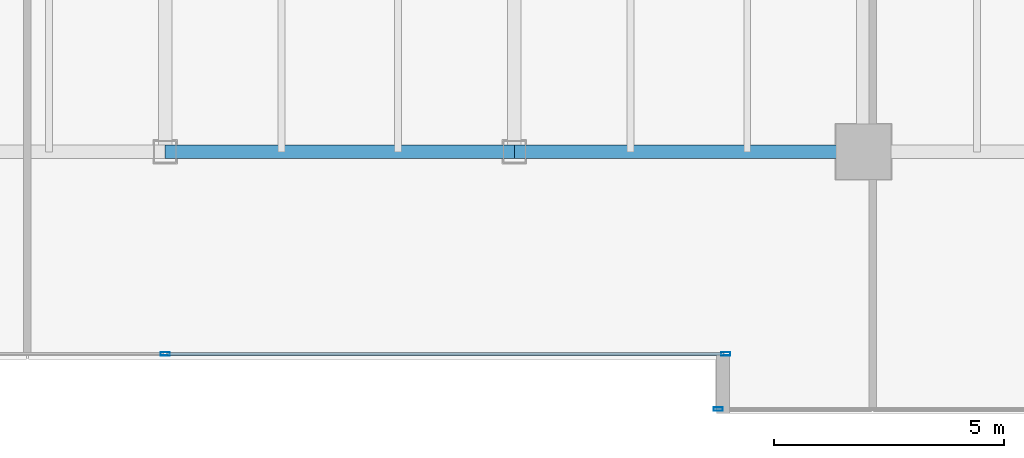
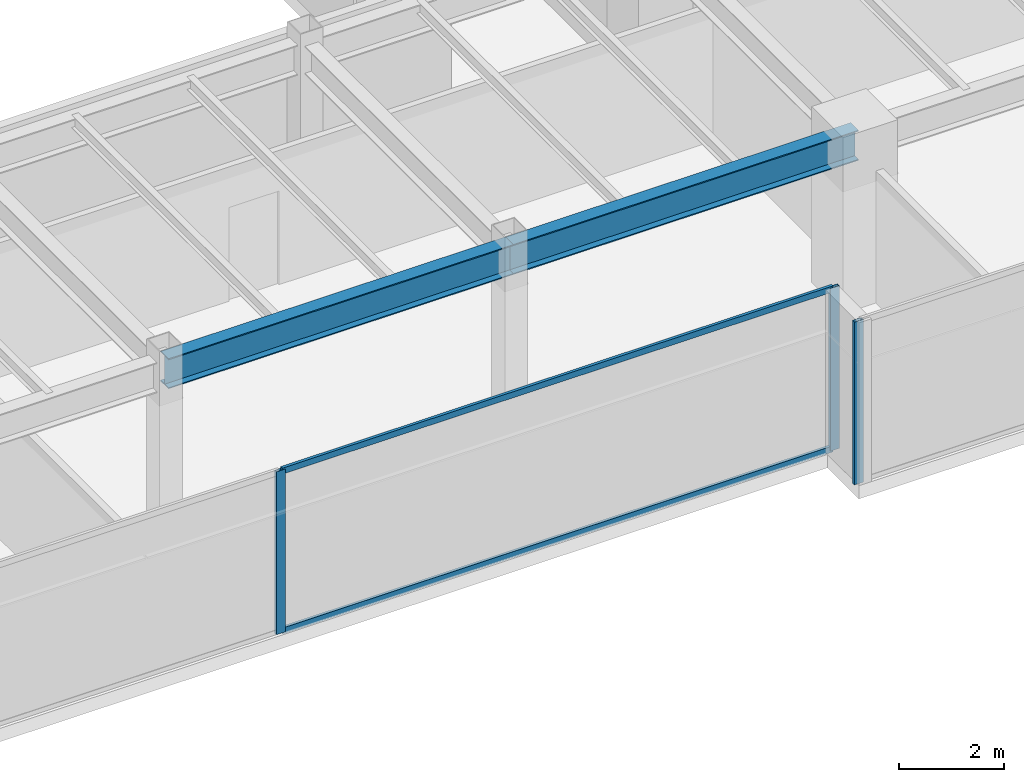
# One storey, part 10 of 33: 5 members, 2 beams, 2 elements without a shape of their own.
"""IFC4 building model written with IfcOpenShell, lengths in metres."""

from ifc_helpers import new_model, si_unit, direction, frame, origin, origin_2d, place, context, subcontext, project, spatial, hollow_rectangle, i_section, extrude, source, transform, mapped, material, layer, layer_set, material_profile, profile_set, type_object, type_shapes, element, aggregate, save


model = new_model("IFC4")

# Units and contexts
model_context = context("Model", 3, precision=1e-05, world=origin(), true_north=direction((0.0, 1.0)))
body_context = subcontext(model_context, "Body", "Model", "MODEL_VIEW")
ifc_project = project(units=[si_unit("LENGTHUNIT", "METRE"), si_unit("AREAUNIT", "SQUARE_METRE"), si_unit("VOLUMEUNIT", "CUBIC_METRE"), si_unit("PLANEANGLEUNIT", "RADIAN"), si_unit("MASSUNIT", "GRAM", prefix="KILO")], contexts=[model_context])

# Site, building, storey
site_placement = place(None, origin())
site = spatial("IfcSite", under=ifc_project, at=site_placement, CompositionType="ELEMENT")
building_placement = place(site_placement, origin())
building = spatial("IfcBuilding", under=site, at=building_placement, Name="Haelvirn Gate Laboratories", CompositionType="ELEMENT")
storey_placement = place(building_placement, frame((0.0, 0.0, 117.39990234375)))
storey = spatial("IfcBuildingStorey", under=building, at=storey_placement, Name="L28", CompositionType="ELEMENT", Elevation=117.39990234375)

# Beams
ifc_material_1 = material(Name="Steel SM355", Category="steel")
ifc_material_profile_1 = material_profile(ifc_material_1, i_section(OverallWidth=0.300048828125, OverallDepth=0.699951171875, WebThickness=0.012939453125, FlangeThickness=0.02392578125, at=origin_2d()), Name="H-700x300x13x24")
ifc_profile_set_1 = profile_set([ifc_material_profile_1], Name="Steel SM355")
beam_type = type_object("IfcBeamType", Name="BM-G-700", PredefinedType="BEAM", material=ifc_profile_set_1)
shared_shape_1 = source(origin(), body_context, "Body", "SweptSolid", [
    extrude(i_section(OverallWidth=0.300048828125, OverallDepth=0.699951171875, WebThickness=0.012939453125, FlangeThickness=0.02392578125, at=origin_2d()), origin(), (0.0, 0.0, 1.0), 7.60009765625),
])
type_shapes(beam_type, [shared_shape_1])
for number, where, z_axis, x_axis, name in (
    (1, (37.39990234375, 7.0, 3.440185546875), (1.0, 0.0, 0.0), (0.0, 1.0, 0.0), "L28 Primary Girder Y7.0 (37.4-45.0)"),
    (2, (45.0, 7.0, 3.440185546875), (1.0, 0.0, 0.0), (0.0, 1.0, 0.0), "L28 Primary Girder Y7.0 (45.0-52.6)"),
):
    element("IfcBeam", number, at=place(storey_placement, frame(where, z_axis=z_axis, x_axis=x_axis)), inside=storey, type_object=beam_type, Name=name, PredefinedType="BEAM", context=body_context, shape_type="MappedRepresentation", body=[
        mapped(shared_shape_1, transform((0.0, 0.0, 0.0), scale=1.0)),
    ])

# Curtain wall, members
ifc_material_2 = material(Name="Anodised bronze unitised aluminium & triple low-E glass", Category="aluminium")
ifc_layer = layer(ifc_material_2, 0.179931640625, Name="CW-SYS-3")
ifc_layer_set = layer_set([ifc_layer], Name="Anodised bronze unitised aluminium & triple low-E glass")
curtain_wall_type = type_object("IfcCurtainWallType", Name="CW-SYS-3", PredefinedType="NOTDEFINED", material=ifc_layer_set)
curtain_wall_1_placement = place(storey_placement, origin())
curtain_wall_1 = element("IfcCurtainWall", 3, at=curtain_wall_1_placement, inside=storey, type_object=curtain_wall_type, Name="L28 Unitised Curtain Wall CW-L28-P0-E02-1", PredefinedType="NOTDEFINED")
ifc_material_3 = material(Name="Extruded aluminium 6063-T6 (anodised bronze)", Category="aluminium")
ifc_material_profile_2 = material_profile(ifc_material_3, hollow_rectangle(XDim=0.06494140625, YDim=0.139892578125, WallThickness=0.00390625, at=origin_2d()), Name="CWT-140x65x4")
ifc_profile_set_2 = profile_set([ifc_material_profile_2], Name="Extruded aluminium 6063-T6 (anodised bronze)")
member_type_1 = type_object("IfcMemberType", Name="CWT-T140", PredefinedType="USERDEFINED", material=ifc_profile_set_2)
shared_shape_2 = source(origin(), body_context, "Body", "SweptSolid", [
    extrude(hollow_rectangle(XDim=0.06494140625, YDim=0.139892578125, WallThickness=0.00390625, at=origin_2d()), origin(), (0.0, 0.0, 1.0), 12.12744140625),
])
type_shapes(member_type_1, [shared_shape_2])
member_1_placement = place(storey_placement, frame((37.4375, 2.60009765625, 0.03271484375), z_axis=(1.0, 0.0, 0.0), x_axis=(0.0, 1.0, 0.0)))
member_1 = element("IfcMember", 4, at=member_1_placement, type_object=member_type_1, Name="CW3 transom 2.1", ObjectType="TRANSOM", PredefinedType="USERDEFINED", context=body_context, shape_type="MappedRepresentation", body=[
    mapped(shared_shape_2, transform((0.0, 0.0, 0.0), scale=1.0)),
])
member_2_placement = place(storey_placement, frame((37.4375, 2.60009765625, 3.757568359375), z_axis=(1.0, 0.0, 0.0), x_axis=(0.0, 1.0, 0.0)))
member_2 = element("IfcMember", 5, at=member_2_placement, type_object=member_type_1, Name="CW3 transom 2.2", ObjectType="TRANSOM", PredefinedType="USERDEFINED", context=body_context, shape_type="MappedRepresentation", body=[
    mapped(shared_shape_2, transform((0.0, 0.0, 0.0), scale=1.0)),
])
ifc_material_profile_3 = material_profile(ifc_material_3, hollow_rectangle(XDim=0.074951171875, YDim=0.199951171875, WallThickness=0.0048828125, at=origin_2d()), Name="CWM-200x75x5")
ifc_profile_set_3 = profile_set([ifc_material_profile_3], Name="Extruded aluminium 6063-T6 (anodised bronze)")
member_type_2 = type_object("IfcMemberType", Name="CWM-T200", PredefinedType="MULLION", material=ifc_profile_set_3)
shared_shape_3 = source(origin(), body_context, "Body", "SweptSolid", [
    extrude(hollow_rectangle(XDim=0.074951171875, YDim=0.199951171875, WallThickness=0.0048828125, at=origin_2d()), origin(), (0.0, 0.0, 1.0), 3.7900390625),
])
type_shapes(member_type_2, [shared_shape_3])
member_3_placement = place(storey_placement, frame((37.39990234375, 2.60009765625, 0.0), z_axis=(0.0, 0.0, 1.0), x_axis=(0.0, 1.0, 0.0)))
member_3 = element("IfcMember", 6, at=member_3_placement, type_object=member_type_2, Name="CW3 mullion 2", PredefinedType="MULLION", context=body_context, shape_type="MappedRepresentation", body=[
    mapped(shared_shape_3, transform((0.0, 0.0, 0.0), scale=1.0)),
])
member_4_placement = place(storey_placement, frame((49.6025390625, 2.60009765625, 0.0), z_axis=(0.0, 0.0, 1.0), x_axis=(0.0, 1.0, 0.0)))
member_4 = element("IfcMember", 7, at=member_4_placement, type_object=member_type_2, Name="CW3 mullion 3", PredefinedType="MULLION", context=body_context, shape_type="MappedRepresentation", body=[
    mapped(shared_shape_3, transform((0.0, 0.0, 0.0), scale=1.0)),
])
aggregate(curtain_wall_1, [member_3, member_4, member_1, member_2])

# Curtain wall, member
curtain_wall_2_placement = place(storey_placement, origin())
curtain_wall_2 = element("IfcCurtainWall", 8, at=curtain_wall_2_placement, inside=storey, type_object=curtain_wall_type, Name="L28 Unitised Curtain Wall CW-L28-P0-E04-1", PredefinedType="NOTDEFINED")
member_5_placement = place(storey_placement, frame((49.4375, 1.39990234375, 0.0), z_axis=(0.0, 0.0, 1.0), x_axis=(0.0, 1.0, 0.0)))
member_5 = element("IfcMember", 9, at=member_5_placement, type_object=member_type_2, Name="CW3 mullion 1", PredefinedType="MULLION", context=body_context, shape_type="MappedRepresentation", body=[
    mapped(shared_shape_3, transform((0.0, 0.0, 0.0), scale=1.0)),
])
aggregate(curtain_wall_2, [member_5])

save(model, "model.ifc")
